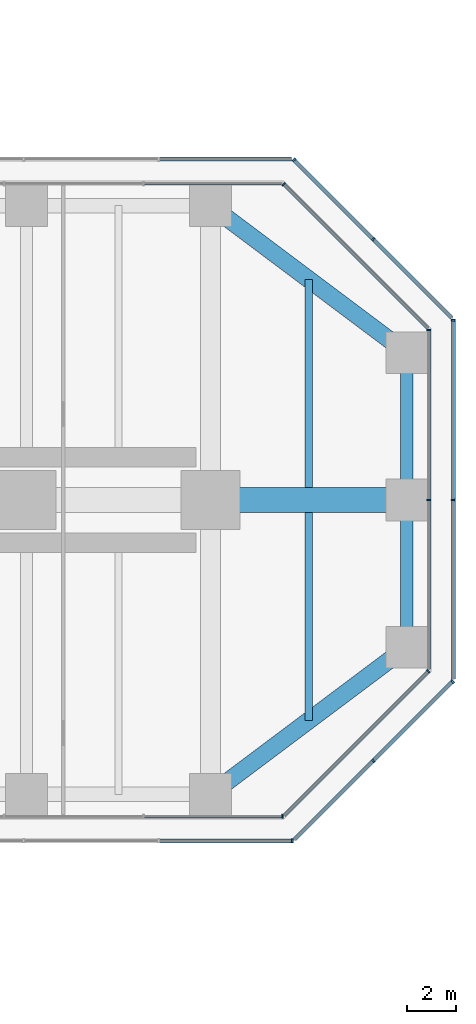
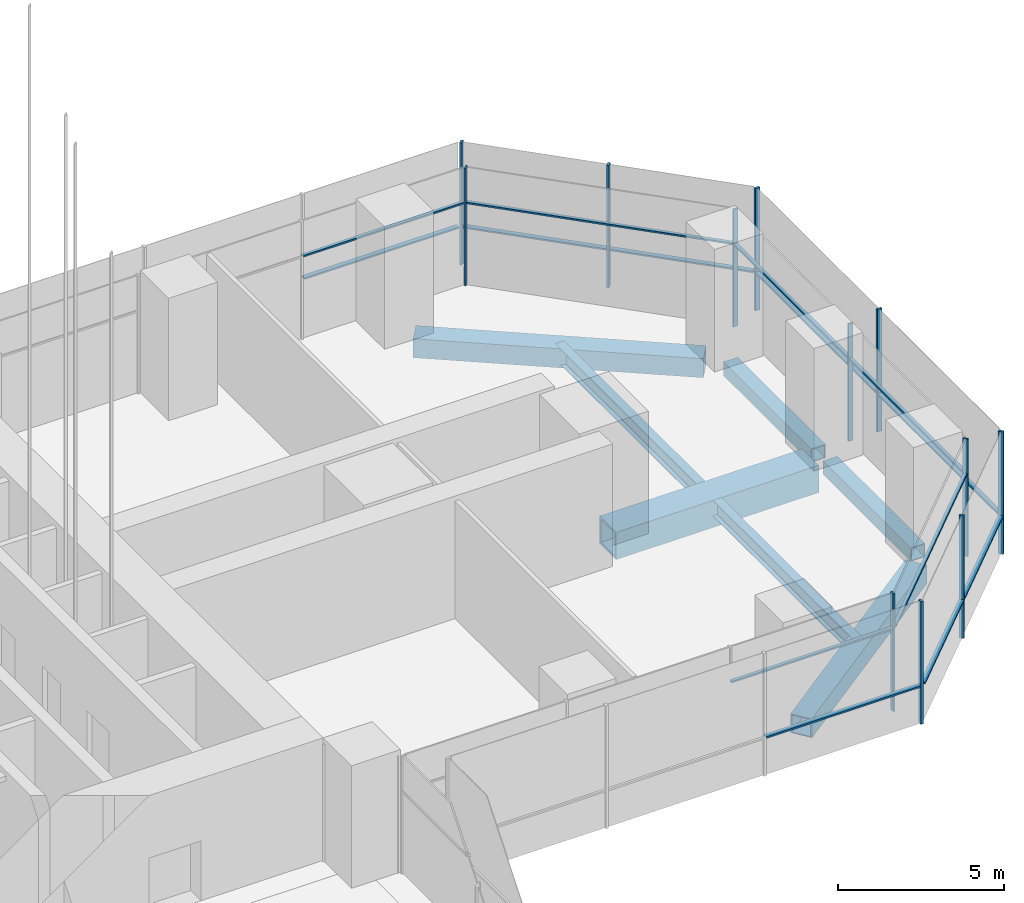
# One storey, part 10 of 34: 26 members, 7 beams, 10 elements without a shape of their own.
"""IFC4 building model written with IfcOpenShell, lengths in metres."""

from ifc_helpers import new_model, si_unit, direction, frame, origin, origin_2d, place, context, subcontext, project, spatial, rectangle, hollow_rectangle, i_section, extrude, material, material_profile, profile_set, type_object, element, aggregate, save


model = new_model("IFC4")

# Units and contexts
model_context = context("Model", 3, precision=1e-05, world=origin(), true_north=direction((0.0, 1.0)))
body_context = subcontext(model_context, "Body", "Model", "MODEL_VIEW")
ifc_project = project(units=[si_unit("LENGTHUNIT", "METRE"), si_unit("AREAUNIT", "SQUARE_METRE"), si_unit("VOLUMEUNIT", "CUBIC_METRE"), si_unit("PLANEANGLEUNIT", "RADIAN"), si_unit("MASSUNIT", "GRAM", prefix="KILO")], contexts=[model_context])

# Site, building, storey
site_placement = place(None, origin())
site = spatial("IfcSite", under=ifc_project, at=site_placement, CompositionType="ELEMENT")
building_placement = place(site_placement, origin())
building = spatial("IfcBuilding", under=site, at=building_placement, Name="Mizan Broadcast Tower", CompositionType="ELEMENT")
storey_placement = place(building_placement, frame((0.0, 0.0, 194.39990234375)))
storey = spatial("IfcBuildingStorey", under=building, at=storey_placement, Name="L45", CompositionType="ELEMENT", Elevation=194.39990234375)

# Beams
ifc_material_1 = material(Name="Steel S355", Category="steel")
ifc_material_profile_1 = material_profile(ifc_material_1, hollow_rectangle(XDim=0.5, YDim=0.5, WallThickness=0.030029296875, at=origin_2d()), Name="BOX 500x500x30")
ifc_profile_set_1 = profile_set([ifc_material_profile_1], Name="Steel S355")
beam_type_1 = type_object("IfcBeamType", Name="EDGE BEAM BOX 500x500x30", PredefinedType="SPANDREL", material=ifc_profile_set_1)
for number, where, z_axis, x_axis, name in (
    (1, (35.0, -5.639892578125, -0.3798828125), (0.0, 1.0, 0.0), (-1.0, 0.0, 0.0), "Edge beam BOX 500x500x30 L45 east arm"),
    (2, (35.0, 5.639892578125, -0.3798828125), (0.0, -1.0, 0.0), (1.0, 0.0, 0.0), "Edge beam BOX 500x500x30 L45 east arm"),
):
    element("IfcBeam", number, at=place(storey_placement, frame(where, z_axis=z_axis, x_axis=x_axis)), inside=storey, type_object=beam_type_1, Name=name, PredefinedType="SPANDREL", context=body_context, shape_type="SweptSolid", body=[
        extrude(hollow_rectangle(XDim=0.5, YDim=0.5, WallThickness=0.030029296875, at=origin_2d()), origin(), (0.0, 0.0, 1.0), 5.27978515625),
    ])
ifc_material_2 = material(Name="Steel S355", Category="steel")
ifc_material_profile_2 = material_profile(ifc_material_2, hollow_rectangle(XDim=0.699951171875, YDim=0.699951171875, WallThickness=0.0400390625, at=origin_2d()), Name="BOX 700x700x40")
ifc_profile_set_2 = profile_set([ifc_material_profile_2], Name="Steel S355")
beam_type_2 = type_object("IfcBeamType", Name="EDGE BEAM BOX 700x700x40", PredefinedType="SPANDREL", material=ifc_profile_set_2)
for number, where, z_axis, x_axis, name in (
    (3, (27.47998046875, -11.639892578125, -0.47998046875), (0.800013316712, 0.599982243973, 0.0), (-0.599982243973, 0.800013316712, 0.0), "Edge beam BOX 700x700x40 L45 east arm"),
    (4, (27.47998046875, 11.639892578125, -0.47998046875), (0.800013316712, -0.599982243973, 0.0), (0.599982243973, 0.800013316712, 0.0), "Edge beam BOX 700x700x40 L45 east arm"),
):
    element("IfcBeam", number, at=place(storey_placement, frame(where, z_axis=z_axis, x_axis=x_axis)), inside=storey, type_object=beam_type_2, Name=name, PredefinedType="SPANDREL", context=body_context, shape_type="SweptSolid", body=[
        extrude(hollow_rectangle(XDim=0.699951171875, YDim=0.699951171875, WallThickness=0.0400390625, at=origin_2d()), origin(), (0.0, 0.0, 1.0), 8.7998046875),
    ])
ifc_material_3 = material(Name="Steel S460", Category="steel")
ifc_material_profile_3 = material_profile(ifc_material_3, hollow_rectangle(XDim=1.0, YDim=1.0, WallThickness=0.080078125, at=origin_2d()), Name="BOX 1000x1000x80")
ifc_profile_set_3 = profile_set([ifc_material_profile_3], Name="Steel S460")
beam_type_3 = type_object("IfcBeamType", Name="GIRDER BOX 1000x1000x80", PredefinedType="BEAM", material=ifc_profile_set_3)
beam_placement = place(storey_placement, frame((27.47998046875, 0.0, -0.6298828125), z_axis=(1.0, 0.0, 0.0), x_axis=(0.0, 1.0, 0.0)))
element("IfcBeam", 5, at=beam_placement, inside=storey, type_object=beam_type_3, Name="Girder BOX 1000x1000x80 L45 east arm", PredefinedType="BEAM", context=body_context, shape_type="SweptSolid", body=[
    extrude(hollow_rectangle(XDim=1.0, YDim=1.0, WallThickness=0.080078125, at=origin_2d()), origin(), (0.0, 0.0, 1.0), 7.0400390625),
])

# Curtain wall, member
ifc_material_4 = material(Name="Aluminium framed glazing", Category="aluminium")
curtain_wall_type_1 = type_object("IfcCurtainWallType", Name="INNER SKIN HIGH ZONE", PredefinedType="USERDEFINED", material=ifc_material_4)
curtain_wall_1_placement = place(storey_placement, origin())
curtain_wall_1 = element("IfcCurtainWall", 6, at=curtain_wall_1_placement, inside=storey, type_object=curtain_wall_type_1, Name="Inner skin high zone L45 E side", ObjectType="INNER SKIN HIGH ZONE", PredefinedType="USERDEFINED")
ifc_material_5 = material(Name="Aluminium, pale anodised", Category="aluminium")
ifc_material_profile_4 = material_profile(ifc_material_5, rectangle(XDim=0.159912109375, YDim=0.06005859375, at=origin_2d()), Name="MULLION 160x60")
ifc_profile_set_4 = profile_set([ifc_material_profile_4], Name="Aluminium, pale anodised")
member_type_1 = type_object("IfcMemberType", Name="INNER SKIN MULLION 60x160", PredefinedType="MULLION", material=ifc_profile_set_4)
member_1_placement = place(storey_placement, frame((29.928466796875, -12.89990234375, 0.0), z_axis=(0.0, 0.0, 1.0), x_axis=(0.0, 1.0, 0.0)))
member_1 = element("IfcMember", 7, at=member_1_placement, type_object=member_type_1, Name="Inner skin high zone L45 E side mullion 4", PredefinedType="MULLION", context=body_context, shape_type="SweptSolid", body=[
    extrude(rectangle(XDim=0.159912109375, YDim=0.06005859375, at=origin_2d()), origin(), (0.0, 0.0, 1.0), 4.320068359375),
])

curtain_wall_2_placement = place(storey_placement, origin())
curtain_wall_2 = element("IfcCurtainWall", 8, at=curtain_wall_2_placement, inside=storey, type_object=curtain_wall_type_1, Name="Inner skin high zone L45 E chamfer", ObjectType="INNER SKIN HIGH ZONE", PredefinedType="USERDEFINED")
member_2_placement = place(storey_placement, frame((35.87890625, -6.979736328125, 0.0), z_axis=(0.0, 0.0, 1.0), x_axis=(-0.707106781187, 0.707106781187, 0.0)))
member_2 = element("IfcMember", 9, at=member_2_placement, type_object=member_type_1, Name="Inner skin high zone L45 E chamfer mullion 2", PredefinedType="MULLION", context=body_context, shape_type="SweptSolid", body=[
    extrude(rectangle(XDim=0.159912109375, YDim=0.06005859375, at=origin_2d()), origin(), (0.0, 0.0, 1.0), 4.320068359375),
])

# Curtain wall, members
curtain_wall_3_placement = place(storey_placement, origin())
curtain_wall_3 = element("IfcCurtainWall", 10, at=curtain_wall_3_placement, inside=storey, type_object=curtain_wall_type_1, Name="Inner skin high zone L45 E end", ObjectType="INNER SKIN HIGH ZONE", PredefinedType="USERDEFINED")
member_3_placement = place(storey_placement, frame((35.89990234375, 0.0, 0.0), z_axis=(0.0, 0.0, 1.0), x_axis=(-1.0, 0.0, 0.0)))
member_3 = element("IfcMember", 11, at=member_3_placement, type_object=member_type_1, Name="Inner skin high zone L45 E end mullion 2", PredefinedType="MULLION", context=body_context, shape_type="SweptSolid", body=[
    extrude(rectangle(XDim=0.159912109375, YDim=0.06005859375, at=origin_2d()), origin(), (0.0, 0.0, 1.0), 4.320068359375),
])
member_4_placement = place(storey_placement, frame((35.89990234375, 6.928466796875, 0.0), z_axis=(0.0, 0.0, 1.0), x_axis=(-1.0, 0.0, 0.0)))
member_4 = element("IfcMember", 12, at=member_4_placement, type_object=member_type_1, Name="Inner skin high zone L45 E end mullion 3", PredefinedType="MULLION", context=body_context, shape_type="SweptSolid", body=[
    extrude(rectangle(XDim=0.159912109375, YDim=0.06005859375, at=origin_2d()), origin(), (0.0, 0.0, 1.0), 4.320068359375),
])

# Curtain wall, member
curtain_wall_4_placement = place(storey_placement, origin())
curtain_wall_4 = element("IfcCurtainWall", 13, at=curtain_wall_4_placement, inside=storey, type_object=curtain_wall_type_1, Name="Inner skin high zone L45 E chamfer", ObjectType="INNER SKIN HIGH ZONE", PredefinedType="USERDEFINED")
member_5_placement = place(storey_placement, frame((29.979736328125, 12.87890625, 0.0), z_axis=(0.0, 0.0, 1.0), x_axis=(-0.707106781187, -0.707106781187, 0.0)))
member_5 = element("IfcMember", 14, at=member_5_placement, type_object=member_type_1, Name="Inner skin high zone L45 E chamfer mullion 2", PredefinedType="MULLION", context=body_context, shape_type="SweptSolid", body=[
    extrude(rectangle(XDim=0.159912109375, YDim=0.06005859375, at=origin_2d()), origin(), (0.0, 0.0, 1.0), 4.320068359375),
])

# Member
ifc_material_6 = material(Name="Aluminium, pale anodised", Category="aluminium")
ifc_material_profile_5 = material_profile(ifc_material_6, rectangle(XDim=0.1201171875, YDim=0.06005859375, at=origin_2d()), Name="TRANSOM 120x60")
ifc_profile_set_5 = profile_set([ifc_material_profile_5], Name="Aluminium, pale anodised")
member_type_2 = type_object("IfcMemberType", Name="INNER SKIN TRANSOM 60x120", PredefinedType="USERDEFINED", material=ifc_profile_set_5)
member_6_placement = place(storey_placement, frame((24.302490234375, -12.89990234375, 3.030029296875), z_axis=(1.0, 0.0, 0.0), x_axis=(0.0, 1.0, 0.0)))
member_6 = element("IfcMember", 15, at=member_6_placement, type_object=member_type_2, Name="Inner skin high zone L45 E side transom 3.1", ObjectType="TRANSOM", PredefinedType="USERDEFINED", context=body_context, shape_type="SweptSolid", body=[
    extrude(rectangle(XDim=0.1201171875, YDim=0.06005859375, at=origin_2d()), origin(), (0.0, 0.0, 1.0), 5.59619140625),
])

aggregate(curtain_wall_1, [member_1, member_6])

member_7_placement = place(storey_placement, frame((30.0009765625, -12.857666015625, 3.030029296875), z_axis=(0.707106781187, 0.707106781187, 0.0), x_axis=(-0.707106781187, 0.707106781187, 0.0)))
member_7 = element("IfcMember", 16, at=member_7_placement, type_object=member_type_2, Name="Inner skin high zone L45 E chamfer transom 1.1", ObjectType="TRANSOM", PredefinedType="USERDEFINED", context=body_context, shape_type="SweptSolid", body=[
    extrude(rectangle(XDim=0.1201171875, YDim=0.06005859375, at=origin_2d()), origin(), (0.0, 0.0, 1.0), 8.28271484375),
])

aggregate(curtain_wall_2, [member_2, member_7])

member_8_placement = place(storey_placement, frame((35.89990234375, -6.898681640625, 3.030029296875), z_axis=(0.0, 1.0, 0.0), x_axis=(-1.0, 0.0, 0.0)))
member_8 = element("IfcMember", 17, at=member_8_placement, type_object=member_type_2, Name="Inner skin high zone L45 E end transom 1.1", ObjectType="TRANSOM", PredefinedType="USERDEFINED", context=body_context, shape_type="SweptSolid", body=[
    extrude(rectangle(XDim=0.1201171875, YDim=0.06005859375, at=origin_2d()), origin(), (0.0, 0.0, 1.0), 6.86865234375),
])

member_9_placement = place(storey_placement, frame((35.89990234375, 0.030029296875, 3.030029296875), z_axis=(0.0, 1.0, 0.0), x_axis=(-1.0, 0.0, 0.0)))
member_9 = element("IfcMember", 18, at=member_9_placement, type_object=member_type_2, Name="Inner skin high zone L45 E end transom 2.1", ObjectType="TRANSOM", PredefinedType="USERDEFINED", context=body_context, shape_type="SweptSolid", body=[
    extrude(rectangle(XDim=0.1201171875, YDim=0.06005859375, at=origin_2d()), origin(), (0.0, 0.0, 1.0), 6.86865234375),
])

aggregate(curtain_wall_3, [member_3, member_4, member_8, member_9])

member_10_placement = place(storey_placement, frame((35.857666015625, 7.0009765625, 3.030029296875), z_axis=(-0.707106781187, 0.707106781187, 0.0), x_axis=(-0.707106781187, -0.707106781187, 0.0)))
member_10 = element("IfcMember", 19, at=member_10_placement, type_object=member_type_2, Name="Inner skin high zone L45 E chamfer transom 1.1", ObjectType="TRANSOM", PredefinedType="USERDEFINED", context=body_context, shape_type="SweptSolid", body=[
    extrude(rectangle(XDim=0.1201171875, YDim=0.06005859375, at=origin_2d()), origin(), (0.0, 0.0, 1.0), 8.28271484375),
])

aggregate(curtain_wall_4, [member_5, member_10])

# Curtain wall, member
curtain_wall_5_placement = place(storey_placement, origin())
curtain_wall_5 = element("IfcCurtainWall", 20, at=curtain_wall_5_placement, inside=storey, type_object=curtain_wall_type_1, Name="Inner skin high zone L45 E side", ObjectType="INNER SKIN HIGH ZONE", PredefinedType="USERDEFINED")
member_11_placement = place(storey_placement, frame((29.898681640625, 12.89990234375, 3.030029296875), z_axis=(-1.0, 0.0, 0.0), x_axis=(0.0, -1.0, 0.0)))
member_11 = element("IfcMember", 21, at=member_11_placement, type_object=member_type_2, Name="Inner skin high zone L45 E side transom 1.1", ObjectType="TRANSOM", PredefinedType="USERDEFINED", context=body_context, shape_type="SweptSolid", body=[
    extrude(rectangle(XDim=0.1201171875, YDim=0.06005859375, at=origin_2d()), origin(), (0.0, 0.0, 1.0), 5.59619140625),
])
aggregate(curtain_wall_5, [member_11])

ifc_material_7 = material(Name="Aluminium framed glazing", Category="aluminium")
curtain_wall_type_2 = type_object("IfcCurtainWallType", Name="OUTER SKIN", PredefinedType="USERDEFINED", material=ifc_material_7)
curtain_wall_6_placement = place(storey_placement, origin())
curtain_wall_6 = element("IfcCurtainWall", 22, at=curtain_wall_6_placement, inside=storey, type_object=curtain_wall_type_2, Name="Outer skin L45 E side", ObjectType="OUTER SKIN", PredefinedType="USERDEFINED")
ifc_material_8 = material(Name="Aluminium, pale anodised", Category="aluminium")
ifc_material_profile_6 = material_profile(ifc_material_8, rectangle(XDim=0.159912109375, YDim=0.080078125, at=origin_2d()), Name="MULLION 160x80")
ifc_profile_set_6 = profile_set([ifc_material_profile_6], Name="Aluminium, pale anodised")
member_type_3 = type_object("IfcMemberType", Name="OUTER SKIN MULLION 80x160", PredefinedType="MULLION", material=ifc_profile_set_6)
member_12_placement = place(storey_placement, frame((30.332763671875, -13.89990234375, 0.0), z_axis=(0.0, 0.0, 1.0), x_axis=(0.0, 1.0, 0.0)))
member_12 = element("IfcMember", 23, at=member_12_placement, type_object=member_type_3, Name="Outer skin L45 E side mullion 4", PredefinedType="MULLION", context=body_context, shape_type="SweptSolid", body=[
    extrude(rectangle(XDim=0.159912109375, YDim=0.080078125, at=origin_2d()), origin(), (0.0, 0.0, 1.0), 4.5),
])

# Curtain wall, members
curtain_wall_7_placement = place(storey_placement, origin())
curtain_wall_7 = element("IfcCurtainWall", 24, at=curtain_wall_7_placement, inside=storey, type_object=curtain_wall_type_2, Name="Outer skin L45 E chamfer", ObjectType="OUTER SKIN", PredefinedType="USERDEFINED")
member_13_placement = place(storey_placement, frame((33.636474609375, -10.636474609375, 0.0), z_axis=(0.0, 0.0, 1.0), x_axis=(-0.707106781187, 0.707106781187, 0.0)))
member_13 = element("IfcMember", 25, at=member_13_placement, type_object=member_type_3, Name="Outer skin L45 E chamfer mullion 2", PredefinedType="MULLION", context=body_context, shape_type="SweptSolid", body=[
    extrude(rectangle(XDim=0.159912109375, YDim=0.080078125, at=origin_2d()), origin(), (0.0, 0.0, 1.0), 4.5),
])
member_14_placement = place(storey_placement, frame((36.871826171875, -7.401123046875, 0.0), z_axis=(0.0, 0.0, 1.0), x_axis=(-0.707106781187, 0.707106781187, 0.0)))
member_14 = element("IfcMember", 26, at=member_14_placement, type_object=member_type_3, Name="Outer skin L45 E chamfer mullion 3", PredefinedType="MULLION", context=body_context, shape_type="SweptSolid", body=[
    extrude(rectangle(XDim=0.159912109375, YDim=0.080078125, at=origin_2d()), origin(), (0.0, 0.0, 1.0), 4.5),
])

curtain_wall_8_placement = place(storey_placement, origin())
curtain_wall_8 = element("IfcCurtainWall", 27, at=curtain_wall_8_placement, inside=storey, type_object=curtain_wall_type_2, Name="Outer skin L45 E end", ObjectType="OUTER SKIN", PredefinedType="USERDEFINED")
member_15_placement = place(storey_placement, frame((36.89990234375, 0.0, 0.0), z_axis=(0.0, 0.0, 1.0), x_axis=(-1.0, 0.0, 0.0)))
member_15 = element("IfcMember", 28, at=member_15_placement, type_object=member_type_3, Name="Outer skin L45 E end mullion 2", PredefinedType="MULLION", context=body_context, shape_type="SweptSolid", body=[
    extrude(rectangle(XDim=0.159912109375, YDim=0.080078125, at=origin_2d()), origin(), (0.0, 0.0, 1.0), 4.5),
])
member_16_placement = place(storey_placement, frame((36.89990234375, 7.332763671875, 0.0), z_axis=(0.0, 0.0, 1.0), x_axis=(-1.0, 0.0, 0.0)))
member_16 = element("IfcMember", 29, at=member_16_placement, type_object=member_type_3, Name="Outer skin L45 E end mullion 3", PredefinedType="MULLION", context=body_context, shape_type="SweptSolid", body=[
    extrude(rectangle(XDim=0.159912109375, YDim=0.080078125, at=origin_2d()), origin(), (0.0, 0.0, 1.0), 4.5),
])

curtain_wall_9_placement = place(storey_placement, origin())
curtain_wall_9 = element("IfcCurtainWall", 30, at=curtain_wall_9_placement, inside=storey, type_object=curtain_wall_type_2, Name="Outer skin L45 E chamfer", ObjectType="OUTER SKIN", PredefinedType="USERDEFINED")
member_17_placement = place(storey_placement, frame((33.636474609375, 10.636474609375, 0.0), z_axis=(0.0, 0.0, 1.0), x_axis=(-0.707106781187, -0.707106781187, 0.0)))
member_17 = element("IfcMember", 31, at=member_17_placement, type_object=member_type_3, Name="Outer skin L45 E chamfer mullion 2", PredefinedType="MULLION", context=body_context, shape_type="SweptSolid", body=[
    extrude(rectangle(XDim=0.159912109375, YDim=0.080078125, at=origin_2d()), origin(), (0.0, 0.0, 1.0), 4.5),
])
member_18_placement = place(storey_placement, frame((30.401123046875, 13.871826171875, 0.0), z_axis=(0.0, 0.0, 1.0), x_axis=(-0.707106781187, -0.707106781187, 0.0)))
member_18 = element("IfcMember", 32, at=member_18_placement, type_object=member_type_3, Name="Outer skin L45 E chamfer mullion 3", PredefinedType="MULLION", context=body_context, shape_type="SweptSolid", body=[
    extrude(rectangle(XDim=0.159912109375, YDim=0.080078125, at=origin_2d()), origin(), (0.0, 0.0, 1.0), 4.5),
])

# Member
ifc_material_9 = material(Name="Aluminium, pale anodised", Category="aluminium")
ifc_material_profile_7 = material_profile(ifc_material_9, rectangle(XDim=0.159912109375, YDim=0.06005859375, at=origin_2d()), Name="TRANSOM 160x60")
ifc_profile_set_7 = profile_set([ifc_material_profile_7], Name="Aluminium, pale anodised")
member_type_4 = type_object("IfcMemberType", Name="OUTER SKIN TRANSOM 60x160", PredefinedType="USERDEFINED", material=ifc_profile_set_7)
member_19_placement = place(storey_placement, frame((24.921875, -13.89990234375, 1.400146484375), z_axis=(1.0, 0.0, 0.0), x_axis=(0.0, 1.0, 0.0)))
member_19 = element("IfcMember", 33, at=member_19_placement, type_object=member_type_4, Name="Outer skin L45 E side transom 3.1", ObjectType="TRANSOM", PredefinedType="USERDEFINED", context=body_context, shape_type="SweptSolid", body=[
    extrude(rectangle(XDim=0.159912109375, YDim=0.06005859375, at=origin_2d()), origin(), (0.0, 0.0, 1.0), 5.370849609375),
])

aggregate(curtain_wall_6, [member_12, member_19])

member_20_placement = place(storey_placement, frame((30.429443359375, -13.843505859375, 1.400146484375), z_axis=(0.707106781187, 0.707106781187, 0.0), x_axis=(-0.707106781187, 0.707106781187, 0.0)))
member_20 = element("IfcMember", 34, at=member_20_placement, type_object=member_type_4, Name="Outer skin L45 E chamfer transom 1.1", ObjectType="TRANSOM", PredefinedType="USERDEFINED", context=body_context, shape_type="SweptSolid", body=[
    extrude(rectangle(XDim=0.159912109375, YDim=0.06005859375, at=origin_2d()), origin(), (0.0, 0.0, 1.0), 4.495361328125),
])

member_21_placement = place(storey_placement, frame((33.664794921875, -10.608154296875, 1.400146484375), z_axis=(0.707106781187, 0.707106781187, 0.0), x_axis=(-0.707106781187, 0.707106781187, 0.0)))
member_21 = element("IfcMember", 35, at=member_21_placement, type_object=member_type_4, Name="Outer skin L45 E chamfer transom 2.1", ObjectType="TRANSOM", PredefinedType="USERDEFINED", context=body_context, shape_type="SweptSolid", body=[
    extrude(rectangle(XDim=0.159912109375, YDim=0.06005859375, at=origin_2d()), origin(), (0.0, 0.0, 1.0), 4.495361328125),
])

aggregate(curtain_wall_7, [member_13, member_14, member_20, member_21])

member_22_placement = place(storey_placement, frame((36.89990234375, -7.292724609375, 1.400146484375), z_axis=(0.0, 1.0, 0.0), x_axis=(-1.0, 0.0, 0.0)))
member_22 = element("IfcMember", 36, at=member_22_placement, type_object=member_type_4, Name="Outer skin L45 E end transom 1.1", ObjectType="TRANSOM", PredefinedType="USERDEFINED", context=body_context, shape_type="SweptSolid", body=[
    extrude(rectangle(XDim=0.159912109375, YDim=0.06005859375, at=origin_2d()), origin(), (0.0, 0.0, 1.0), 7.252685546875),
])

member_23_placement = place(storey_placement, frame((36.89990234375, 0.0400390625, 1.400146484375), z_axis=(0.0, 1.0, 0.0), x_axis=(-1.0, 0.0, 0.0)))
member_23 = element("IfcMember", 37, at=member_23_placement, type_object=member_type_4, Name="Outer skin L45 E end transom 2.1", ObjectType="TRANSOM", PredefinedType="USERDEFINED", context=body_context, shape_type="SweptSolid", body=[
    extrude(rectangle(XDim=0.159912109375, YDim=0.06005859375, at=origin_2d()), origin(), (0.0, 0.0, 1.0), 7.252685546875),
])

aggregate(curtain_wall_8, [member_15, member_16, member_22, member_23])

member_24_placement = place(storey_placement, frame((36.843505859375, 7.429443359375, 1.400146484375), z_axis=(-0.707106781187, 0.707106781187, 0.0), x_axis=(-0.707106781187, -0.707106781187, 0.0)))
member_24 = element("IfcMember", 38, at=member_24_placement, type_object=member_type_4, Name="Outer skin L45 E chamfer transom 1.1", ObjectType="TRANSOM", PredefinedType="USERDEFINED", context=body_context, shape_type="SweptSolid", body=[
    extrude(rectangle(XDim=0.159912109375, YDim=0.06005859375, at=origin_2d()), origin(), (0.0, 0.0, 1.0), 4.495361328125),
])

member_25_placement = place(storey_placement, frame((33.608154296875, 10.664794921875, 1.400146484375), z_axis=(-0.707106781187, 0.707106781187, 0.0), x_axis=(-0.707106781187, -0.707106781187, 0.0)))
member_25 = element("IfcMember", 39, at=member_25_placement, type_object=member_type_4, Name="Outer skin L45 E chamfer transom 2.1", ObjectType="TRANSOM", PredefinedType="USERDEFINED", context=body_context, shape_type="SweptSolid", body=[
    extrude(rectangle(XDim=0.159912109375, YDim=0.06005859375, at=origin_2d()), origin(), (0.0, 0.0, 1.0), 4.495361328125),
])

aggregate(curtain_wall_9, [member_17, member_18, member_24, member_25])

# Curtain wall, member
curtain_wall_10_placement = place(storey_placement, origin())
curtain_wall_10 = element("IfcCurtainWall", 40, at=curtain_wall_10_placement, inside=storey, type_object=curtain_wall_type_2, Name="Outer skin L45 E side", ObjectType="OUTER SKIN", PredefinedType="USERDEFINED")
member_26_placement = place(storey_placement, frame((30.292724609375, 13.89990234375, 1.400146484375), z_axis=(-1.0, 0.0, 0.0), x_axis=(0.0, -1.0, 0.0)))
member_26 = element("IfcMember", 41, at=member_26_placement, type_object=member_type_4, Name="Outer skin L45 E side transom 1.1", ObjectType="TRANSOM", PredefinedType="USERDEFINED", context=body_context, shape_type="SweptSolid", body=[
    extrude(rectangle(XDim=0.159912109375, YDim=0.06005859375, at=origin_2d()), origin(), (0.0, 0.0, 1.0), 5.370849609375),
])
aggregate(curtain_wall_10, [member_26])

# Beams
ifc_material_10 = material(Name="Steel S355", Category="steel")
ifc_material_profile_8 = material_profile(ifc_material_10, i_section(OverallWidth=0.300048828125, OverallDepth=0.590087890625, WebThickness=0.012939453125, FlangeThickness=0.02490234375, FilletRadius=0.027099609375, at=origin_2d()), Name="HEA 600")
ifc_profile_set_8 = profile_set([ifc_material_profile_8], Name="Steel S355")
beam_type_4 = type_object("IfcBeamType", Name="SECONDARY BEAM HEA 600", PredefinedType="JOIST", material=ifc_profile_set_8)
for number, where, z_axis, x_axis, name in (
    (42, (31.0, -9.0, -0.4248046875), (0.0, 1.0, 0.0), (-1.0, 0.0, 0.0), "Secondary beam HEA 600 L45 east arm"),
    (43, (31.0, 9.0, -0.4248046875), (0.0, -1.0, 0.0), (1.0, 0.0, 0.0), "Secondary beam HEA 600 L45 east arm"),
):
    element("IfcBeam", number, at=place(storey_placement, frame(where, z_axis=z_axis, x_axis=x_axis)), inside=storey, type_object=beam_type_4, Name=name, PredefinedType="JOIST", context=body_context, shape_type="SweptSolid", body=[
        extrude(i_section(OverallWidth=0.300048828125, OverallDepth=0.590087890625, WebThickness=0.012939453125, FlangeThickness=0.02490234375, FilletRadius=0.027099609375, at=origin_2d()), origin(), (0.0, 0.0, 1.0), 8.5),
    ])

save(model, "model.ifc")
